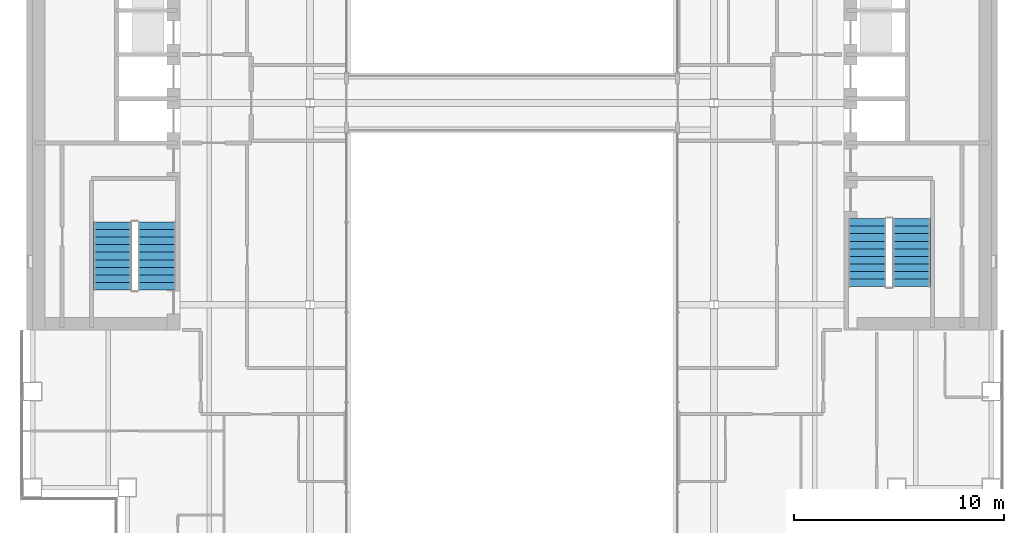
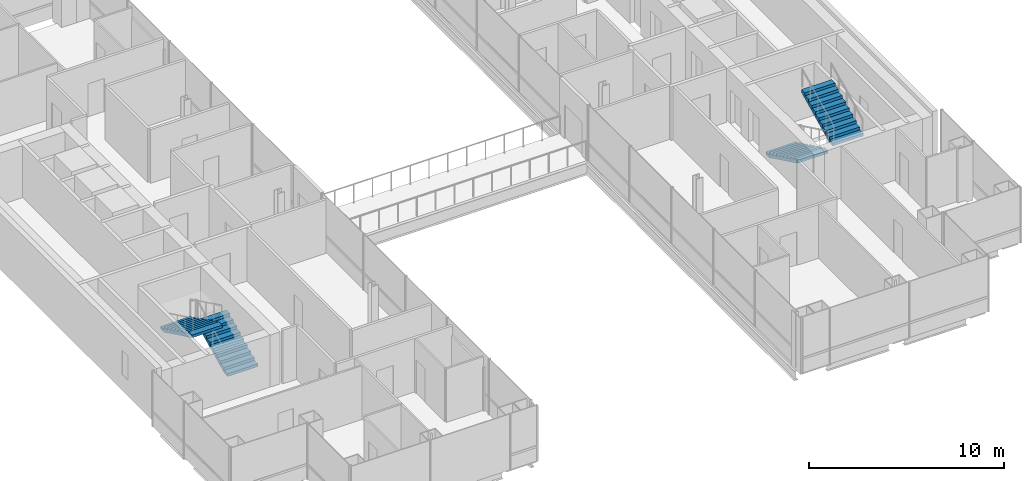
# One storey, part 14 of 16: 4 stair flights, 2 elements without a shape of their own.
"""IFC4 building model written with IfcOpenShell, lengths in metres."""

from ifc_helpers import new_model, si_unit, direction, frame, origin, place, context, subcontext, project, spatial, polyline, outline, extrude, material, type_object, element, aggregate, save


model = new_model("IFC4")

# Units and contexts
model_context = context("Model", 3, precision=1e-05, world=origin(), true_north=direction((0.0, 1.0)))
body_context = subcontext(model_context, "Body", "Model", "MODEL_VIEW")
ifc_project = project(units=[si_unit("LENGTHUNIT", "METRE"), si_unit("AREAUNIT", "SQUARE_METRE"), si_unit("VOLUMEUNIT", "CUBIC_METRE"), si_unit("PLANEANGLEUNIT", "RADIAN"), si_unit("MASSUNIT", "GRAM", prefix="KILO")], contexts=[model_context])

# Site, building, storey
site_placement = place(None, origin())
site = spatial("IfcSite", under=ifc_project, at=site_placement, CompositionType="ELEMENT")
building_placement = place(site_placement, origin())
building = spatial("IfcBuilding", under=site, at=building_placement, Name="Cobrizo Arcos Hotel Tower", CompositionType="ELEMENT")
storey_placement = place(building_placement, frame((0.0, 0.0, 120.5)))
storey = spatial("IfcBuildingStorey", under=building, at=storey_placement, Name="L30", CompositionType="ELEMENT", Elevation=120.5)

# Stair, stair flights
ifc_material = material(Name="Concrete f'c 40 MPa", Category="concrete")
stair_type = type_object("IfcStairType", Name="Exit stair", PredefinedType="HALF_TURN_STAIR", material=ifc_material)
stair_1_placement = place(storey_placement, origin())
stair_1 = element("IfcStair", 1, at=stair_1_placement, inside=storey, type_object=stair_type, Name="L30 Exit stair ST-W", PredefinedType="HALF_TURN_STAIR")
stair_flight_type = type_object("IfcStairFlightType", Name="Exit stair flight", PredefinedType="STRAIGHT", material=ifc_material)
stair_flight_1_placement = place(storey_placement, frame((-16.89990234375, -8.89990234375, 0.0), z_axis=(0.0, 0.0, 1.0), x_axis=(0.0, 1.0, 0.0)))
stair_flight_1 = element("IfcStairFlight", 2, at=stair_flight_1_placement, type_object=stair_flight_type, Name="ST-W flight 1", NumberOfRisers=10, NumberOfTreads=9, PredefinedType="STRAIGHT", RiserHeight=0.175, TreadLength=0.36, context=body_context, shape_type="SweptSolid", body=[
    extrude(outline(polyline([(0.0, 0.0), (0.0, 0.175048828125), (0.360107421875, 0.175048828125), (0.360107421875, 0.35009765625), (0.719970703125, 0.35009765625), (0.719970703125, 0.52490234375), (1.080078125, 0.52490234375), (1.080078125, 0.699951171875), (1.43994140625, 0.699951171875), (1.43994140625, 0.875), (1.800048828125, 0.875), (1.800048828125, 1.050048828125), (2.159912109375, 1.050048828125), (2.159912109375, 1.22509765625), (2.52001953125, 1.22509765625), (2.52001953125, 1.39990234375), (2.8798828125, 1.39990234375), (2.8798828125, 1.574951171875), (3.239990234375, 1.574951171875), (3.239990234375, 1.75), (3.239990234375, 1.408203125), (0.3427734375, 0.0), (0.0, 0.0)])), frame((0.0, 0.89990234375, 0.0), z_axis=(0.0, -1.0, 0.0), x_axis=(1.0, 0.0, 0.0)), (0.0, 0.0, 1.0), 1.800048828125),
])
stair_flight_2_placement = place(storey_placement, frame((-19.0, -5.659912109375, 1.75), z_axis=(0.0, 0.0, 1.0), x_axis=(0.0, -1.0, 0.0)))
stair_flight_2 = element("IfcStairFlight", 3, at=stair_flight_2_placement, type_object=stair_flight_type, Name="ST-W flight 2", NumberOfRisers=10, NumberOfTreads=9, PredefinedType="STRAIGHT", RiserHeight=0.175, TreadLength=0.36, context=body_context, shape_type="SweptSolid", body=[
    extrude(outline(polyline([(0.0, 0.0), (0.0, 0.175048828125), (0.360107421875, 0.175048828125), (0.360107421875, 0.35009765625), (0.719970703125, 0.35009765625), (0.719970703125, 0.52490234375), (1.080078125, 0.52490234375), (1.080078125, 0.699951171875), (1.43994140625, 0.699951171875), (1.43994140625, 0.875), (1.800048828125, 0.875), (1.800048828125, 1.050048828125), (2.159912109375, 1.050048828125), (2.159912109375, 1.22509765625), (2.52001953125, 1.22509765625), (2.52001953125, 1.39990234375), (2.8798828125, 1.39990234375), (2.8798828125, 1.574951171875), (3.239990234375, 1.574951171875), (3.239990234375, 1.75), (3.239990234375, 1.408203125), (0.3427734375, 0.0), (0.0, 0.0)])), frame((0.0, 0.89990234375, 0.0), z_axis=(0.0, -1.0, 0.0), x_axis=(1.0, 0.0, 0.0)), (0.0, 0.0, 1.0), 1.800048828125),
])
aggregate(stair_1, [stair_flight_1, stair_flight_2])

stair_2_placement = place(storey_placement, origin())
stair_2 = element("IfcStair", 4, at=stair_2_placement, inside=storey, type_object=stair_type, Name="L30 Exit stair ST-E", PredefinedType="HALF_TURN_STAIR")
stair_flight_3_placement = place(storey_placement, frame((16.89990234375, -5.5, 0.0), z_axis=(0.0, 0.0, 1.0), x_axis=(0.0, -1.0, 0.0)))
stair_flight_3 = element("IfcStairFlight", 5, at=stair_flight_3_placement, type_object=stair_flight_type, Name="ST-E flight 1", NumberOfRisers=10, NumberOfTreads=9, PredefinedType="STRAIGHT", RiserHeight=0.175, TreadLength=0.36, context=body_context, shape_type="SweptSolid", body=[
    extrude(outline(polyline([(0.0, 0.0), (0.0, 0.175048828125), (0.360107421875, 0.175048828125), (0.360107421875, 0.35009765625), (0.719970703125, 0.35009765625), (0.719970703125, 0.52490234375), (1.080078125, 0.52490234375), (1.080078125, 0.699951171875), (1.43994140625, 0.699951171875), (1.43994140625, 0.875), (1.800048828125, 0.875), (1.800048828125, 1.050048828125), (2.159912109375, 1.050048828125), (2.159912109375, 1.22509765625), (2.52001953125, 1.22509765625), (2.52001953125, 1.39990234375), (2.8798828125, 1.39990234375), (2.8798828125, 1.574951171875), (3.239990234375, 1.574951171875), (3.239990234375, 1.75), (3.239990234375, 1.408203125), (0.3427734375, 0.0), (0.0, 0.0)])), frame((0.0, 0.89990234375, 0.0), z_axis=(0.0, -1.0, 0.0), x_axis=(1.0, 0.0, 0.0)), (0.0, 0.0, 1.0), 1.800048828125),
])
stair_flight_4_placement = place(storey_placement, frame((19.0, -8.739990234375, 1.75), z_axis=(0.0, 0.0, 1.0), x_axis=(0.0, 1.0, 0.0)))
stair_flight_4 = element("IfcStairFlight", 6, at=stair_flight_4_placement, type_object=stair_flight_type, Name="ST-E flight 2", NumberOfRisers=10, NumberOfTreads=9, PredefinedType="STRAIGHT", RiserHeight=0.175, TreadLength=0.36, context=body_context, shape_type="SweptSolid", body=[
    extrude(outline(polyline([(0.0, 0.0), (0.0, 0.175048828125), (0.360107421875, 0.175048828125), (0.360107421875, 0.35009765625), (0.719970703125, 0.35009765625), (0.719970703125, 0.52490234375), (1.080078125, 0.52490234375), (1.080078125, 0.699951171875), (1.43994140625, 0.699951171875), (1.43994140625, 0.875), (1.800048828125, 0.875), (1.800048828125, 1.050048828125), (2.159912109375, 1.050048828125), (2.159912109375, 1.22509765625), (2.52001953125, 1.22509765625), (2.52001953125, 1.39990234375), (2.8798828125, 1.39990234375), (2.8798828125, 1.574951171875), (3.239990234375, 1.574951171875), (3.239990234375, 1.75), (3.239990234375, 1.408203125), (0.3427734375, 0.0), (0.0, 0.0)])), frame((0.0, 0.89990234375, 0.0), z_axis=(0.0, -1.0, 0.0), x_axis=(1.0, 0.0, 0.0)), (0.0, 0.0, 1.0), 1.800048828125),
])
aggregate(stair_2, [stair_flight_3, stair_flight_4])

save(model, "model.ifc")
